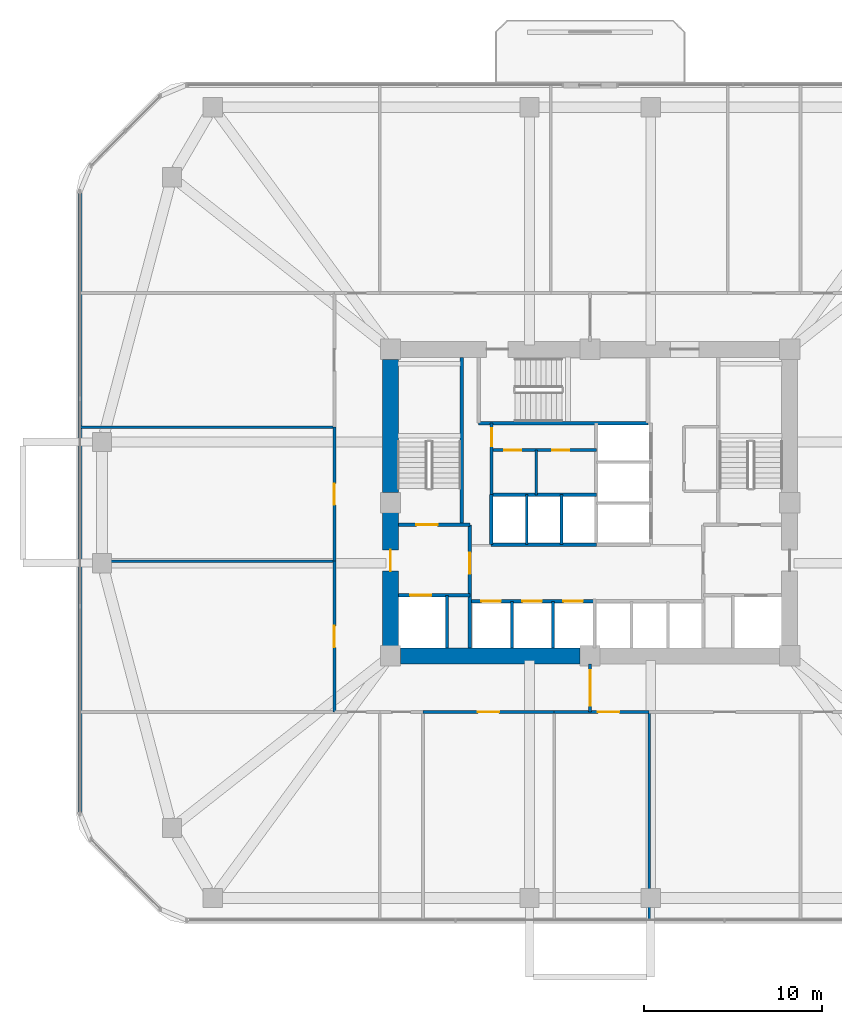
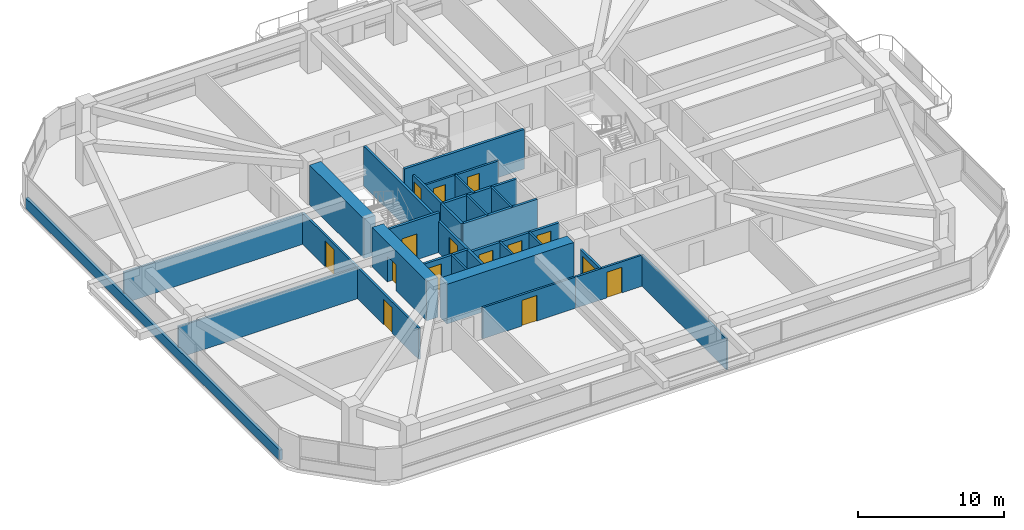
# One storey, part 9 of 14: 29 walls, 15 doors, 15 openings.
"""IFC4 building model written with IfcOpenShell, lengths in metres."""

from ifc_helpers import new_model, si_unit, derived_unit, direction, frame, frame_2d, origin, place, context, subcontext, project, spatial, rectangle, extrude, material, layer, layer_set, type_object, element, fill, save


model = new_model("IFC4")

# Units and contexts
model_context = context("Model", 3, precision=1e-05, world=origin(), true_north=direction((0.0, 1.0)))
body_context = subcontext(model_context, "Body", "Model", "MODEL_VIEW")
ifc_project = project(units=[si_unit("LENGTHUNIT", "METRE"), si_unit("AREAUNIT", "SQUARE_METRE"), si_unit("VOLUMEUNIT", "CUBIC_METRE"), si_unit("PLANEANGLEUNIT", "RADIAN"), si_unit("MASSUNIT", "GRAM", prefix="KILO"), derived_unit("THERMALTRANSMITTANCEUNIT", [(si_unit("POWERUNIT", "WATT"), 1), (si_unit("LENGTHUNIT", "METRE"), -2), (si_unit("THERMODYNAMICTEMPERATUREUNIT", "KELVIN"), -1)])], contexts=[model_context])

# Site, building, storey
site_placement = place(None, origin())
site = spatial("IfcSite", under=ifc_project, at=site_placement, CompositionType="ELEMENT")
building_placement = place(site_placement, origin())
building = spatial("IfcBuilding", under=site, at=building_placement, Name="Koralith Skygarden Medical Center", CompositionType="ELEMENT")
storey_placement = place(building_placement, frame((0.0, 0.0, 31.139892578125)))
storey = spatial("IfcBuildingStorey", under=building, at=storey_placement, Name="L07", CompositionType="ELEMENT", Elevation=31.139892578125)

# Walls
ifc_material_1 = material(Name="Gypsum Board Partition")
ifc_layer_1 = layer(ifc_material_1, 0.14990234375)
ifc_layer_set_1 = layer_set([ifc_layer_1], Name="Gypsum Board Partition")
wall_type_1 = type_object("IfcWallType", Name="Clinical Acoustic Partition 150", PredefinedType="PARTITIONING", material=ifc_layer_set_1)
wall_1_placement = place(storey_placement, frame((33.97998046875, 26.320068359375, 0.0), z_axis=(0.0, 0.0, 1.0), x_axis=(0.0, 1.0, 0.0)))
element("IfcWall", 1, at=wall_1_placement, inside=storey, type_object=wall_type_1, Name="L07 Clinical Acoustic Partition 150 W-CORE-L07-FLEX-V3A", PredefinedType="PARTITIONING", context=body_context, shape_type="SweptSolid", body=[
    extrude(rectangle(XDim=2.52001953125, YDim=0.14990234375, at=frame_2d((1.260009765625, 0.0))), origin(), (0.0, 0.0, 1.0), 2.610107421875),
])
wall_2_placement = place(storey_placement, frame((40.31005859375, 14.14990234375, 0.0), z_axis=(0.0, 0.0, 1.0), x_axis=(0.0, -1.0, 0.0)))
element("IfcWall", 2, at=wall_2_placement, inside=storey, type_object=wall_type_1, Name="L07 Clinical Acoustic Partition 150 W-PART-L07-S-04", PredefinedType="PARTITIONING", context=body_context, shape_type="SweptSolid", body=[
    extrude(rectangle(XDim=11.64990234375, YDim=0.14990234375, at=frame_2d((5.824951171875, 0.0))), origin(), (0.0, 0.0, 1.0), 2.610107421875),
])
for number, where, z_axis, x_axis, name in (
    (3, (22.64990234375, 22.610107421875, 0.0), (0.0, 0.0, 1.0), (-1.0, 0.0, 0.0), "L07 Clinical Acoustic Partition 150 W-PART-L07-W-01"),
    (4, (22.64990234375, 30.1298828125, 0.0), (0.0, 0.0, 1.0), (-1.0, 0.0, 0.0), "L07 Clinical Acoustic Partition 150 W-PART-L07-W-02"),
):
    element("IfcWall", number, at=place(storey_placement, frame(where, z_axis=z_axis, x_axis=x_axis)), inside=storey, type_object=wall_type_1, Name=name, PredefinedType="PARTITIONING", context=body_context, shape_type="SweptSolid", body=[
        extrude(rectangle(XDim=14.25, YDim=0.14990234375, at=frame_2d((7.125, 0.0))), origin(), (0.0, 0.0, 1.0), 2.610107421875),
    ])

# Wall, opening, door
ifc_layer_2 = layer(ifc_material_1, 0.1650390625)
ifc_layer_set_2 = layer_set([ifc_layer_2], Name="Gypsum Board Partition")
wall_type_2 = type_object("IfcWallType", Name="Clinical Corridor Partition 165", PredefinedType="PARTITIONING", material=ifc_layer_set_2)
wall_3_placement = place(storey_placement, frame((27.623046875, 14.14990234375, 0.0), z_axis=(0.0, 0.0, 1.0), x_axis=(1.0, 0.0, 0.0)))
wall_3 = element("IfcWall", 5, at=wall_3_placement, inside=storey, type_object=wall_type_2, Name="L07 Clinical Corridor Partition 165 W-CORR-L07-S-03", PredefinedType="PARTITIONING", context=body_context, shape_type="SweptSolid", body=[
    extrude(rectangle(XDim=7.35791015625, YDim=0.1650390625, at=frame_2d((3.678955078125, 0.0))), origin(), (0.0, 0.0, 1.0), 2.610107421875),
])
opening_1_placement = place(wall_3_placement, frame((3.0791015625, 0.0, 0.0)))
opening_1 = element("IfcOpeningElement", 6, at=opening_1_placement, cuts=wall_3, Name="Opening D-CLN", PredefinedType="OPENING", context=body_context, shape_type="SweptSolid", body=[
    extrude(rectangle(XDim=1.199951171875, YDim=2.14990234375, at=frame_2d((0.60009765625, 1.074951171875))), frame((0.0, 0.092529296875, 0.0), z_axis=(0.0, -1.0, 0.0), x_axis=(1.0, 0.0, 0.0)), (0.0, 0.0, 1.0), 0.18505859375),
])
ifc_material_2 = material(Name="Aluminium 6063-T6", Category="aluminium")
door_type_1 = type_object("IfcDoorType", Name="Clinical Corridor Door D-CLN 1200", OperationType="NOTDEFINED", PredefinedType="DOOR", material=ifc_material_2)
door_1_placement = place(opening_1_placement, frame((1.199951171875, 0.0, 0.0), z_axis=(0.0, 0.0, 1.0), x_axis=(-1.0, 0.0, 0.0)))
door_1 = element("IfcDoor", 7, at=door_1_placement, inside=storey, type_object=door_type_1, Name="L07 Attending Physician Consultation Office 08 Door", OperationType="SINGLE_SWING_LEFT", OverallHeight=2.14990234375, OverallWidth=1.199951171875, PredefinedType="DOOR", context=body_context, shape_type="SweptSolid", body=[
    extrude(rectangle(XDim=1.199951171875, YDim=2.14990234375, at=frame_2d((0.60009765625, 1.074951171875))), frame((0.0, 0.02490234375, 0.0), z_axis=(0.0, -1.0, 0.0), x_axis=(1.0, 0.0, 0.0)), (0.0, 0.0, 1.0), 0.050048828125),
])
fill(opening_1, door_1)

wall_4_placement = place(storey_placement, frame((34.98095703125, 14.14990234375, 0.0), z_axis=(0.0, 0.0, 1.0), x_axis=(1.0, 0.0, 0.0)))
wall_4 = element("IfcWall", 8, at=wall_4_placement, inside=storey, type_object=wall_type_2, Name="L07 Clinical Corridor Partition 165 W-CORR-L07-S-04", PredefinedType="PARTITIONING", context=body_context, shape_type="SweptSolid", body=[
    extrude(rectangle(XDim=5.3291015625, YDim=0.1650390625, at=frame_2d((2.66455078125, 0.0))), origin(), (0.0, 0.0, 1.0), 2.610107421875),
])
opening_2_placement = place(wall_4_placement, frame((2.4619140625, 0.0, 0.0)))
opening_2 = element("IfcOpeningElement", 9, at=opening_2_placement, cuts=wall_4, Name="Opening D-CLN", PredefinedType="OPENING", context=body_context, shape_type="SweptSolid", body=[
    extrude(rectangle(XDim=1.199951171875, YDim=2.14990234375, at=frame_2d((0.60009765625, 1.074951171875))), frame((0.0, 0.092529296875, 0.0), z_axis=(0.0, -1.0, 0.0), x_axis=(1.0, 0.0, 0.0)), (0.0, 0.0, 1.0), 0.18505859375),
])
door_2_placement = place(opening_2_placement, frame((1.199951171875, 0.0, 0.0), z_axis=(0.0, 0.0, 1.0), x_axis=(-1.0, 0.0, 0.0)))
door_2 = element("IfcDoor", 10, at=door_2_placement, inside=storey, type_object=door_type_1, Name="L07 Clinical Consultation Office 09 Door", OperationType="SINGLE_SWING_RIGHT", OverallHeight=2.14990234375, OverallWidth=1.199951171875, PredefinedType="DOOR", context=body_context, shape_type="SweptSolid", body=[
    extrude(rectangle(XDim=1.199951171875, YDim=2.14990234375, at=frame_2d((0.60009765625, 1.074951171875))), frame((0.0, 0.02490234375, 0.0), z_axis=(0.0, -1.0, 0.0), x_axis=(1.0, 0.0, 0.0)), (0.0, 0.0, 1.0), 0.050048828125),
])
fill(opening_2, door_2)

wall_5_placement = place(storey_placement, frame((22.64990234375, 14.14990234375, 0.0), z_axis=(0.0, 0.0, 1.0), x_axis=(0.0, 1.0, 0.0)))
wall_5 = element("IfcWall", 11, at=wall_5_placement, inside=storey, type_object=wall_type_2, Name="L07 Clinical Corridor Partition 165 W-CORR-L07-W-01", PredefinedType="PARTITIONING", context=body_context, shape_type="SweptSolid", body=[
    extrude(rectangle(XDim=8.460205078125, YDim=0.1650390625, at=frame_2d((4.22998046875, 0.0))), origin(), (0.0, 0.0, 1.0), 2.610107421875),
])
opening_3_placement = place(wall_5_placement, frame((3.6298828125, 0.0, 0.0)))
opening_3 = element("IfcOpeningElement", 12, at=opening_3_placement, cuts=wall_5, Name="Opening D-CLN", PredefinedType="OPENING", context=body_context, shape_type="SweptSolid", body=[
    extrude(rectangle(XDim=1.199951171875, YDim=2.14990234375, at=frame_2d((0.60009765625, 1.074951171875))), frame((0.0, 0.092529296875, 0.0), z_axis=(0.0, -1.0, 0.0), x_axis=(1.0, 0.0, 0.0)), (0.0, 0.0, 1.0), 0.18505859375),
])
door_3_placement = place(opening_3_placement, frame((1.199951171875, 0.0, 0.0), z_axis=(0.0, 0.0, 1.0), x_axis=(-1.0, 0.0, 0.0)))
door_3 = element("IfcDoor", 13, at=door_3_placement, inside=storey, type_object=door_type_1, Name="L07 Attending Physician Consultation Office 12 Door", OperationType="SINGLE_SWING_LEFT", OverallHeight=2.14990234375, OverallWidth=1.199951171875, PredefinedType="DOOR", context=body_context, shape_type="SweptSolid", body=[
    extrude(rectangle(XDim=1.199951171875, YDim=2.14990234375, at=frame_2d((0.60009765625, 1.074951171875))), frame((0.0, 0.02490234375, 0.0), z_axis=(0.0, -1.0, 0.0), x_axis=(1.0, 0.0, 0.0)), (0.0, 0.0, 1.0), 0.050048828125),
])
fill(opening_3, door_3)

wall_6_placement = place(storey_placement, frame((22.64990234375, 22.610107421875, 0.0), z_axis=(0.0, 0.0, 1.0), x_axis=(0.0, 1.0, 0.0)))
wall_6 = element("IfcWall", 14, at=wall_6_placement, inside=storey, type_object=wall_type_2, Name="L07 Clinical Corridor Partition 165 W-CORR-L07-W-02", PredefinedType="PARTITIONING", context=body_context, shape_type="SweptSolid", body=[
    extrude(rectangle(XDim=7.519775390625, YDim=0.1650390625, at=frame_2d((3.759765625, 0.0))), origin(), (0.0, 0.0, 1.0), 2.610107421875),
])
opening_4_placement = place(wall_6_placement, frame((3.159912109375, 0.0, 0.0)))
opening_4 = element("IfcOpeningElement", 15, at=opening_4_placement, cuts=wall_6, Name="Opening D-CLN", PredefinedType="OPENING", context=body_context, shape_type="SweptSolid", body=[
    extrude(rectangle(XDim=1.199951171875, YDim=2.14990234375, at=frame_2d((0.60009765625, 1.074951171875))), frame((0.0, 0.092529296875, 0.0), z_axis=(0.0, -1.0, 0.0), x_axis=(1.0, 0.0, 0.0)), (0.0, 0.0, 1.0), 0.18505859375),
])
door_4_placement = place(opening_4_placement, frame((1.199951171875, 0.0, 0.0), z_axis=(0.0, 0.0, 1.0), x_axis=(-1.0, 0.0, 0.0)))
door_4 = element("IfcDoor", 16, at=door_4_placement, inside=storey, type_object=door_type_1, Name="L07 Clinical Consultation Office 13 Door", OperationType="SINGLE_SWING_RIGHT", OverallHeight=2.14990234375, OverallWidth=1.199951171875, PredefinedType="DOOR", context=body_context, shape_type="SweptSolid", body=[
    extrude(rectangle(XDim=1.199951171875, YDim=2.14990234375, at=frame_2d((0.60009765625, 1.074951171875))), frame((0.0, 0.02490234375, 0.0), z_axis=(0.0, -1.0, 0.0), x_axis=(1.0, 0.0, 0.0)), (0.0, 0.0, 1.0), 0.050048828125),
])
fill(opening_4, door_4)

ifc_layer_3 = layer(ifc_material_1, 0.199951171875)
ifc_layer_set_3 = layer_set([ifc_layer_3], Name="Gypsum Board Partition")
wall_type_3 = type_object("IfcWallType", Name="Fire Shaft Wall 200", PredefinedType="SOLIDWALL", material=ifc_layer_set_3)
wall_7_placement = place(storey_placement, frame((26.25, 20.699951171875, 0.0), z_axis=(0.0, 0.0, 1.0), x_axis=(1.0, 0.0, 0.0)))
wall_7 = element("IfcWall", 17, at=wall_7_placement, inside=storey, type_object=wall_type_3, Name="L07 Fire Shaft Wall 200 W-CORE-L07-FF1-N", PredefinedType="SOLIDWALL", context=body_context, shape_type="SweptSolid", body=[
    extrude(rectangle(XDim=4.0, YDim=0.199951171875, at=frame_2d((2.0, 0.0))), origin(), (0.0, 0.0, 1.0), 2.610107421875),
])
opening_5_placement = place(wall_7_placement, frame((0.64990234375, 0.0, 0.0)))
opening_5 = element("IfcOpeningElement", 18, at=opening_5_placement, cuts=wall_7, Name="Opening LD-FF", PredefinedType="OPENING", context=body_context, shape_type="SweptSolid", body=[
    extrude(rectangle(XDim=1.199951171875, YDim=2.14990234375, at=frame_2d((0.60009765625, 1.074951171875))), frame((0.0, 0.10986328125, 0.0), z_axis=(0.0, -1.0, 0.0), x_axis=(1.0, 0.0, 0.0)), (0.0, 0.0, 1.0), 0.219970703125),
])
ifc_material_3 = material(Name="Steel ASTM A500 Grade C", Category="steel")
door_type_2 = type_object("IfcDoorType", Name="Fire Lift Sliding Landing Door LD-FF 1200", OperationType="NOTDEFINED", PredefinedType="DOOR", material=ifc_material_3)
door_5_placement = place(opening_5_placement, origin())
door_5 = element("IfcDoor", 19, at=door_5_placement, inside=storey, type_object=door_type_2, Name="L07 Fire Service Elevator FF1 Landing Door", OperationType="SLIDING_TO_LEFT", OverallHeight=2.14990234375, OverallWidth=1.199951171875, PredefinedType="DOOR", context=body_context, shape_type="SweptSolid", body=[
    extrude(rectangle(XDim=1.199951171875, YDim=2.14990234375, at=frame_2d((0.60009765625, 1.074951171875))), frame((0.0, 0.02490234375, 0.0), z_axis=(0.0, -1.0, 0.0), x_axis=(1.0, 0.0, 0.0)), (0.0, 0.0, 1.0), 0.050048828125),
])
fill(opening_5, door_5)

wall_8_placement = place(storey_placement, frame((30.25, 17.75, 0.0), z_axis=(0.0, 0.0, 1.0), x_axis=(0.0, 1.0, 0.0)))
wall_8 = element("IfcWall", 20, at=wall_8_placement, inside=storey, type_object=wall_type_3, Name="L07 Fire Shaft Wall 200 W-CORE-L07-FSAEW-E", PredefinedType="SOLIDWALL", context=body_context, shape_type="SweptSolid", body=[
    extrude(rectangle(XDim=6.89990234375, YDim=0.199951171875, at=frame_2d((3.449951171875, 0.0))), origin(), (0.0, 0.0, 1.0), 2.610107421875),
])
opening_6_placement = place(wall_8_placement, frame((4.14990234375, 0.0, 0.0)))
opening_6 = element("IfcOpeningElement", 21, at=opening_6_placement, cuts=wall_8, Name="Opening D-ST60", PredefinedType="OPENING", context=body_context, shape_type="SweptSolid", body=[
    extrude(rectangle(XDim=1.199951171875, YDim=2.14990234375, at=frame_2d((0.60009765625, 1.074951171875))), frame((0.0, 0.10986328125, 0.0), z_axis=(0.0, -1.0, 0.0), x_axis=(1.0, 0.0, 0.0)), (0.0, 0.0, 1.0), 0.219970703125),
])
door_type_3 = type_object("IfcDoorType", Name="Smokeproof Stair Fire Door FD60S 1200", OperationType="NOTDEFINED", PredefinedType="DOOR", material=ifc_material_3)
door_6_placement = place(opening_6_placement, origin())
door_6 = element("IfcDoor", 22, at=door_6_placement, inside=storey, type_object=door_type_3, Name="L07 West Firefighting Lobby Inner Fire Door", OperationType="SINGLE_SWING_LEFT", OverallHeight=2.14990234375, OverallWidth=1.199951171875, PredefinedType="DOOR", context=body_context, shape_type="SweptSolid", body=[
    extrude(rectangle(XDim=1.199951171875, YDim=2.14990234375, at=frame_2d((0.60009765625, 1.074951171875))), frame((0.0, 0.02490234375, 0.0), z_axis=(0.0, -1.0, 0.0), x_axis=(1.0, 0.0, 0.0)), (0.0, 0.0, 1.0), 0.050048828125),
])
fill(opening_6, door_6)

# Wall, openings, doors
wall_9_placement = place(storey_placement, frame((30.25, 20.360107421875, 0.0), z_axis=(0.0, 0.0, 1.0), x_axis=(1.0, 0.0, 0.0)))
wall_9 = element("IfcWall", 23, at=wall_9_placement, inside=storey, type_object=wall_type_3, Name="L07 Fire Shaft Wall 200 W-CORE-L07-PL-N", PredefinedType="SOLIDWALL", context=body_context, shape_type="SweptSolid", body=[
    extrude(rectangle(XDim=7.0, YDim=0.199951171875, at=frame_2d((3.5, 0.0))), origin(), (0.0, 0.0, 1.0), 2.610107421875),
])
opening_7_placement = place(wall_9_placement, frame((0.64990234375, 0.0, 0.0)))
opening_7 = element("IfcOpeningElement", 24, at=opening_7_placement, cuts=wall_9, Name="Opening LD-P", PredefinedType="OPENING", context=body_context, shape_type="SweptSolid", body=[
    extrude(rectangle(XDim=1.10009765625, YDim=2.14990234375, at=frame_2d((0.550048828125, 1.074951171875))), frame((0.0, 0.10986328125, 0.0), z_axis=(0.0, -1.0, 0.0), x_axis=(1.0, 0.0, 0.0)), (0.0, 0.0, 1.0), 0.219970703125),
])
opening_8_placement = place(wall_9_placement, frame((2.949951171875, 0.0, 0.0)))
opening_8 = element("IfcOpeningElement", 25, at=opening_8_placement, cuts=wall_9, Name="Opening LD-P", PredefinedType="OPENING", context=body_context, shape_type="SweptSolid", body=[
    extrude(rectangle(XDim=1.10009765625, YDim=2.14990234375, at=frame_2d((0.550048828125, 1.074951171875))), frame((0.0, 0.10986328125, 0.0), z_axis=(0.0, -1.0, 0.0), x_axis=(1.0, 0.0, 0.0)), (0.0, 0.0, 1.0), 0.219970703125),
])
opening_9_placement = place(wall_9_placement, frame((5.25, 0.0, 0.0)))
opening_9 = element("IfcOpeningElement", 26, at=opening_9_placement, cuts=wall_9, Name="Opening LD-P", PredefinedType="OPENING", context=body_context, shape_type="SweptSolid", body=[
    extrude(rectangle(XDim=1.10009765625, YDim=2.14990234375, at=frame_2d((0.550048828125, 1.074951171875))), frame((0.0, 0.10986328125, 0.0), z_axis=(0.0, -1.0, 0.0), x_axis=(1.0, 0.0, 0.0)), (0.0, 0.0, 1.0), 0.219970703125),
])
door_type_4 = type_object("IfcDoorType", Name="Passenger Lift Sliding Landing Door LD-P 1100", OperationType="NOTDEFINED", PredefinedType="DOOR", material=ifc_material_3)
door_7_placement = place(opening_7_placement, origin())
door_7 = element("IfcDoor", 27, at=door_7_placement, inside=storey, type_object=door_type_4, Name="L07 Passenger Elevator PL1 Landing Door", OperationType="SLIDING_TO_LEFT", OverallHeight=2.14990234375, OverallWidth=1.10009765625, PredefinedType="DOOR", context=body_context, shape_type="SweptSolid", body=[
    extrude(rectangle(XDim=1.10009765625, YDim=2.14990234375, at=frame_2d((0.550048828125, 1.074951171875))), frame((0.0, 0.02490234375, 0.0), z_axis=(0.0, -1.0, 0.0), x_axis=(1.0, 0.0, 0.0)), (0.0, 0.0, 1.0), 0.050048828125),
])
fill(opening_7, door_7)
door_8_placement = place(opening_8_placement, origin())
door_8 = element("IfcDoor", 28, at=door_8_placement, inside=storey, type_object=door_type_4, Name="L07 Passenger Elevator PL2 Landing Door", OperationType="SLIDING_TO_LEFT", OverallHeight=2.14990234375, OverallWidth=1.10009765625, PredefinedType="DOOR", context=body_context, shape_type="SweptSolid", body=[
    extrude(rectangle(XDim=1.10009765625, YDim=2.14990234375, at=frame_2d((0.550048828125, 1.074951171875))), frame((0.0, 0.02490234375, 0.0), z_axis=(0.0, -1.0, 0.0), x_axis=(1.0, 0.0, 0.0)), (0.0, 0.0, 1.0), 0.050048828125),
])
fill(opening_8, door_8)
door_9_placement = place(opening_9_placement, origin())
door_9 = element("IfcDoor", 29, at=door_9_placement, inside=storey, type_object=door_type_4, Name="L07 Passenger Elevator PL3 Landing Door", OperationType="SLIDING_TO_LEFT", OverallHeight=2.14990234375, OverallWidth=1.10009765625, PredefinedType="DOOR", context=body_context, shape_type="SweptSolid", body=[
    extrude(rectangle(XDim=1.10009765625, YDim=2.14990234375, at=frame_2d((0.550048828125, 1.074951171875))), frame((0.0, 0.02490234375, 0.0), z_axis=(0.0, -1.0, 0.0), x_axis=(1.0, 0.0, 0.0)), (0.0, 0.0, 1.0), 0.050048828125),
])
fill(opening_9, door_9)

# Walls
for number, where, z_axis, x_axis, name in (
    (30, (31.449951171875, 23.5400390625, 0.0), (0.0, 0.0, 1.0), (1.0, 0.0, 0.0), "L07 Fire Shaft Wall 200 W-CORE-L07-PH-S"),
    (31, (31.449951171875, 26.35009765625, 0.0), (0.0, 0.0, 1.0), (1.0, 0.0, 0.0), "L07 Fire Shaft Wall 200 W-CORE-L07-PH-N"),
):
    element("IfcWall", number, at=place(storey_placement, frame(where, z_axis=z_axis, x_axis=x_axis)), inside=storey, type_object=wall_type_3, Name=name, PredefinedType="SOLIDWALL", context=body_context, shape_type="SweptSolid", body=[
        extrude(rectangle(XDim=5.900146484375, YDim=0.199951171875, at=frame_2d((2.9501953125, 0.0))), origin(), (0.0, 0.0, 1.0), 2.610107421875),
    ])
wall_10_placement = place(storey_placement, frame((31.449951171875, 23.5400390625, 0.0), z_axis=(0.0, 0.0, 1.0), x_axis=(0.0, 1.0, 0.0)))
element("IfcWall", 32, at=wall_10_placement, inside=storey, type_object=wall_type_3, Name="L07 Fire Shaft Wall 200 W-CORE-L07-PH-W", PredefinedType="SOLIDWALL", context=body_context, shape_type="SweptSolid", body=[
    extrude(rectangle(XDim=2.81005859375, YDim=0.199951171875, at=frame_2d((1.405029296875, 0.0))), origin(), (0.0, 0.0, 1.0), 2.610107421875),
])

# Wall, opening, door
ifc_layer_4 = layer(ifc_material_1, 0.179931640625)
ifc_layer_set_4 = layer_set([ifc_layer_4], Name="Gypsum Board Partition")
wall_type_4 = type_object("IfcWallType", Name="Group I-2 Smoke Barrier Wall 180", PredefinedType="PARTITIONING", material=ifc_layer_set_4)
wall_11_placement = place(storey_placement, frame((37.0, 14.14990234375, 0.0), z_axis=(0.0, 0.0, 1.0), x_axis=(0.0, 1.0, 0.0)))
wall_11 = element("IfcWall", 33, at=wall_11_placement, inside=storey, type_object=wall_type_4, Name="L07 Group I-2 Smoke Barrier Wall 180 W-SMK-L07-S", PredefinedType="PARTITIONING", context=body_context, shape_type="SweptSolid", body=[
    extrude(rectangle(XDim=2.7001953125, YDim=0.179931640625, at=frame_2d((1.35009765625, 0.0))), origin(), (0.0, 0.0, 1.0), 2.610107421875),
])
opening_10_placement = place(wall_11_placement, frame((0.35009765625, 0.0, 0.0)))
opening_10 = element("IfcOpeningElement", 34, at=opening_10_placement, cuts=wall_11, Name="Opening D-SMK", PredefinedType="OPENING", context=body_context, shape_type="SweptSolid", body=[
    extrude(rectangle(XDim=2.0, YDim=2.199951171875, at=frame_2d((1.0, 1.10009765625))), frame((0.0, 0.099853515625, 0.0), z_axis=(0.0, -1.0, 0.0), x_axis=(1.0, 0.0, 0.0)), (0.0, 0.0, 1.0), 0.199951171875),
])
door_type_5 = type_object("IfcDoorType", Name="Cross-Corridor Double Smoke Door FD60S 2000", OperationType="NOTDEFINED", PredefinedType="DOOR", material=ifc_material_3)
door_10_placement = place(opening_10_placement, frame((2.0, 0.0, 0.0), z_axis=(0.0, 0.0, 1.0), x_axis=(-1.0, 0.0, 0.0)))
door_10 = element("IfcDoor", 35, at=door_10_placement, inside=storey, type_object=door_type_5, Name="L07 S Smoke Compartment Cross-Corridor Door", OperationType="DOUBLE_DOOR_SINGLE_SWING", OverallHeight=2.199951171875, OverallWidth=2.0, PredefinedType="DOOR", context=body_context, shape_type="SweptSolid", body=[
    extrude(rectangle(XDim=2.0, YDim=2.199951171875, at=frame_2d((1.0, 1.10009765625))), frame((0.0, 0.02490234375, 0.0), z_axis=(0.0, -1.0, 0.0), x_axis=(1.0, 0.0, 0.0)), (0.0, 0.0, 1.0), 0.050048828125),
])
fill(opening_10, door_10)

# Walls
ifc_material_4 = material(Name="Warm Oolitic Limestone Cladding", Category="masonry")
ifc_layer_5 = layer(ifc_material_4, 0.239990234375)
ifc_layer_set_5 = layer_set([ifc_layer_5], Name="Warm Oolitic Limestone Cladding")
wall_type_5 = type_object("IfcWallType", Name="Limestone Spandrel Sill Backup Wall 240", PredefinedType="SOLIDWALL", material=ifc_layer_set_5)
wall_12_placement = place(storey_placement, frame((8.3798828125, 43.344970703125, 0.0), z_axis=(0.0, 0.0, 1.0), x_axis=(0.0, -1.0, 0.0)))
element("IfcWall", 36, at=wall_12_placement, inside=storey, type_object=wall_type_5, Name="L07 Sill Spandrel W", PredefinedType="SOLIDWALL", context=body_context, shape_type="SweptSolid", body=[
    extrude(rectangle(XDim=34.889892578125, YDim=0.239990234375, at=frame_2d((17.44482421875, 0.0))), origin(), (0.0, 0.0, 1.0), 0.85009765625),
])
ifc_material_5 = material(Name="Concrete C70/85", Category="concrete")
ifc_layer_6 = layer(ifc_material_5, 0.89990234375)
ifc_layer_set_6 = layer_set([ifc_layer_6], Name="Concrete C70/85")
wall_type_6 = type_object("IfcWallType", Name="Lower Core Shear Wall 900", PredefinedType="SHEAR", material=ifc_layer_set_6)
wall_13_placement = place(storey_placement, frame((26.364990234375, 17.300048828125, 0.0), z_axis=(0.0, 0.0, 1.0), x_axis=(1.0, 0.0, 0.0)))
element("IfcWall", 37, at=wall_13_placement, inside=storey, type_object=wall_type_6, Name="L07 Core Shear Wall Segment 1", PredefinedType="SHEAR", context=body_context, shape_type="SweptSolid", body=[
    extrude(rectangle(XDim=10.070068359375, YDim=0.89990234375, at=frame_2d((5.03515625, 0.0))), origin(), (0.0, 0.0, 1.0), 3.320068359375),
])
wall_14_placement = place(storey_placement, frame((25.800048828125, 33.93505859375, 0.0), z_axis=(0.0, 0.0, 1.0), x_axis=(0.0, -1.0, 0.0)))
element("IfcWall", 38, at=wall_14_placement, inside=storey, type_object=wall_type_6, Name="L07 Core Shear Wall Segment 7", PredefinedType="SHEAR", context=body_context, shape_type="SweptSolid", body=[
    extrude(rectangle(XDim=7.469970703125, YDim=0.89990234375, at=frame_2d((3.73486328125, 0.0))), origin(), (0.0, 0.0, 1.0), 3.320068359375),
])

# Wall, opening, door
wall_15_placement = place(storey_placement, frame((25.800048828125, 25.3349609375, 0.0), z_axis=(0.0, 0.0, 1.0), x_axis=(0.0, -1.0, 0.0)))
wall_15 = element("IfcWall", 39, at=wall_15_placement, inside=storey, type_object=wall_type_6, Name="L07 Core Shear Wall Segment 8", PredefinedType="SHEAR", context=body_context, shape_type="SweptSolid", body=[
    extrude(rectangle(XDim=7.469970703125, YDim=0.89990234375, at=frame_2d((3.73486328125, 0.0))), origin(), (0.0, 0.0, 1.0), 3.320068359375),
])
opening_11_placement = place(wall_15_placement, frame((2.0849609375, 0.0, 0.0)))
opening_11 = element("IfcOpeningElement", 40, at=opening_11_placement, cuts=wall_15, Name="Opening D-ST60", PredefinedType="OPENING", context=body_context, shape_type="SweptSolid", body=[
    extrude(rectangle(XDim=1.199951171875, YDim=2.14990234375, at=frame_2d((0.60009765625, 1.074951171875))), frame((0.0, 0.4599609375, 0.0), z_axis=(0.0, -1.0, 0.0), x_axis=(1.0, 0.0, 0.0)), (0.0, 0.0, 1.0), 0.919921875),
])
door_11_placement = place(opening_11_placement, frame((1.199951171875, 0.0, 0.0), z_axis=(0.0, 0.0, 1.0), x_axis=(-1.0, 0.0, 0.0)))
door_11 = element("IfcDoor", 41, at=door_11_placement, inside=storey, type_object=door_type_3, Name="L07 West Corridor to Firefighting Lobby Door", OperationType="SINGLE_SWING_LEFT", OverallHeight=2.14990234375, OverallWidth=1.199951171875, PredefinedType="DOOR", context=body_context, shape_type="SweptSolid", body=[
    extrude(rectangle(XDim=1.199951171875, YDim=2.14990234375, at=frame_2d((0.60009765625, 1.074951171875))), frame((0.0, 0.02490234375, 0.0), z_axis=(0.0, -1.0, 0.0), x_axis=(1.0, 0.0, 0.0)), (0.0, 0.0, 1.0), 0.050048828125),
])
fill(opening_11, door_11)

ifc_layer_7 = layer(ifc_material_1, 0.1650390625)
ifc_layer_set_7 = layer_set([ifc_layer_7], Name="Gypsum Board Partition")
wall_type_7 = type_object("IfcWallType", Name="Plumbing Wet Wall 165", PredefinedType="PLUMBINGWALL", material=ifc_layer_set_7)
wall_16_placement = place(storey_placement, frame((31.47998046875, 26.320068359375, 0.0), z_axis=(0.0, 0.0, 1.0), x_axis=(0.0, 1.0, 0.0)))
wall_16 = element("IfcWall", 42, at=wall_16_placement, inside=storey, type_object=wall_type_7, Name="L07 Plumbing Wet Wall 165 W-CORE-L07-FLEX-W", PredefinedType="PLUMBINGWALL", context=body_context, shape_type="SweptSolid", body=[
    extrude(rectangle(XDim=4.0400390625, YDim=0.1650390625, at=frame_2d((2.02001953125, 0.0))), origin(), (0.0, 0.0, 1.0), 2.610107421875),
])
opening_12_placement = place(wall_16_placement, frame((2.75, 0.0, 0.0)))
opening_12 = element("IfcOpeningElement", 43, at=opening_12_placement, cuts=wall_16, Name="Opening D-SUP", PredefinedType="OPENING", context=body_context, shape_type="SweptSolid", body=[
    extrude(rectangle(XDim=1.0, YDim=2.14990234375, at=frame_2d((0.5, 1.074951171875))), frame((0.0, 0.092529296875, 0.0), z_axis=(0.0, -1.0, 0.0), x_axis=(1.0, 0.0, 0.0)), (0.0, 0.0, 1.0), 0.18505859375),
])
door_type_6 = type_object("IfcDoorType", Name="Clinical Support Door D-SUP 1000", OperationType="NOTDEFINED", PredefinedType="DOOR", material=ifc_material_2)
door_12_placement = place(opening_12_placement, frame((1.0, 0.0, 0.0), z_axis=(0.0, 0.0, 1.0), x_axis=(-1.0, 0.0, 0.0)))
door_12 = element("IfcDoor", 44, at=door_12_placement, inside=storey, type_object=door_type_6, Name="L07 Core Utility Alcove Door", OperationType="SINGLE_SWING_RIGHT", OverallHeight=2.14990234375, OverallWidth=1.0, PredefinedType="DOOR", context=body_context, shape_type="SweptSolid", body=[
    extrude(rectangle(XDim=1.0, YDim=2.14990234375, at=frame_2d((0.5, 1.074951171875))), frame((0.0, 0.02490234375, 0.0), z_axis=(0.0, -1.0, 0.0), x_axis=(1.0, 0.0, 0.0)), (0.0, 0.0, 1.0), 0.050048828125),
])
fill(opening_12, door_12)

# Wall, openings, doors
wall_17_placement = place(storey_placement, frame((31.47998046875, 28.840087890625, 0.0), z_axis=(0.0, 0.0, 1.0), x_axis=(1.0, 0.0, 0.0)))
wall_17 = element("IfcWall", 45, at=wall_17_placement, inside=storey, type_object=wall_type_7, Name="L07 Plumbing Wet Wall 165 W-CORE-L07-FLEX-H3", PredefinedType="PLUMBINGWALL", context=body_context, shape_type="SweptSolid", body=[
    extrude(rectangle(XDim=5.8701171875, YDim=0.1650390625, at=frame_2d((2.93505859375, 0.0))), origin(), (0.0, 0.0, 1.0), 2.610107421875),
])
opening_13_placement = place(wall_17_placement, frame((0.699951171875, 0.0, 0.0)))
opening_13 = element("IfcOpeningElement", 46, at=opening_13_placement, cuts=wall_17, Name="Opening D-WC", PredefinedType="OPENING", context=body_context, shape_type="SweptSolid", body=[
    extrude(rectangle(XDim=0.949951171875, YDim=2.10009765625, at=frame_2d((0.47509765625, 1.050048828125))), frame((0.0, 0.092529296875, 0.0), z_axis=(0.0, -1.0, 0.0), x_axis=(1.0, 0.0, 0.0)), (0.0, 0.0, 1.0), 0.18505859375),
])
opening_14_placement = place(wall_17_placement, frame((3.39990234375, 0.0, 0.0)))
opening_14 = element("IfcOpeningElement", 47, at=opening_14_placement, cuts=wall_17, Name="Opening D-WC", PredefinedType="OPENING", context=body_context, shape_type="SweptSolid", body=[
    extrude(rectangle(XDim=0.949951171875, YDim=2.10009765625, at=frame_2d((0.47509765625, 1.050048828125))), frame((0.0, 0.092529296875, 0.0), z_axis=(0.0, -1.0, 0.0), x_axis=(1.0, 0.0, 0.0)), (0.0, 0.0, 1.0), 0.18505859375),
])
door_type_7 = type_object("IfcDoorType", Name="Accessible Toilet Door D-WC 950", OperationType="NOTDEFINED", PredefinedType="DOOR", material=ifc_material_2)
door_13_placement = place(opening_13_placement, frame((0.949951171875, 0.0, 0.0), z_axis=(0.0, 0.0, 1.0), x_axis=(-1.0, 0.0, 0.0)))
door_13 = element("IfcDoor", 48, at=door_13_placement, inside=storey, type_object=door_type_7, Name="L07 Core Accessible WC Door", OperationType="SINGLE_SWING_LEFT", OverallHeight=2.10009765625, OverallWidth=0.949951171875, PredefinedType="DOOR", context=body_context, shape_type="SweptSolid", body=[
    extrude(rectangle(XDim=0.949951171875, YDim=2.10009765625, at=frame_2d((0.47509765625, 1.050048828125))), frame((0.0, 0.02490234375, 0.0), z_axis=(0.0, -1.0, 0.0), x_axis=(1.0, 0.0, 0.0)), (0.0, 0.0, 1.0), 0.050048828125),
])
fill(opening_13, door_13)
door_14_placement = place(opening_14_placement, frame((0.949951171875, 0.0, 0.0), z_axis=(0.0, 0.0, 1.0), x_axis=(-1.0, 0.0, 0.0)))
door_14 = element("IfcDoor", 49, at=door_14_placement, inside=storey, type_object=door_type_7, Name="L07 Housekeeping Store Door", OperationType="SINGLE_SWING_RIGHT", OverallHeight=2.10009765625, OverallWidth=0.949951171875, PredefinedType="DOOR", context=body_context, shape_type="SweptSolid", body=[
    extrude(rectangle(XDim=0.949951171875, YDim=2.10009765625, at=frame_2d((0.47509765625, 1.050048828125))), frame((0.0, 0.02490234375, 0.0), z_axis=(0.0, -1.0, 0.0), x_axis=(1.0, 0.0, 0.0)), (0.0, 0.0, 1.0), 0.050048828125),
])
fill(opening_14, door_14)

# Walls
ifc_layer_8 = layer(ifc_material_1, 0.14990234375)
ifc_layer_set_8 = layer_set([ifc_layer_8], Name="Gypsum Board Partition")
wall_type_8 = type_object("IfcWallType", Name="Shaft Partition Wall 150", PredefinedType="PARTITIONING", material=ifc_layer_set_8)
wall_18_placement = place(storey_placement, frame((28.969970703125, 17.75, 0.0), z_axis=(0.0, 0.0, 1.0), x_axis=(0.0, 1.0, 0.0)))
element("IfcWall", 50, at=wall_18_placement, inside=storey, type_object=wall_type_8, Name="L07 Shaft Partition Wall 150 W-CORE-L07-RSRW-DIV", PredefinedType="PARTITIONING", context=body_context, shape_type="SweptSolid", body=[
    extrude(rectangle(XDim=2.949951171875, YDim=0.14990234375, at=frame_2d((1.47509765625, 0.0))), origin(), (0.0, 0.0, 1.0), 2.610107421875),
])
for number, where, z_axis, x_axis, name in (
    (51, (32.6201171875, 17.75, 0.0), (0.0, 0.0, 1.0), (0.0, 1.0, 0.0), "L07 Shaft Partition Wall 150 W-CORE-L07-PL-D1"),
    (52, (34.919921875, 17.75, 0.0), (0.0, 0.0, 1.0), (0.0, 1.0, 0.0), "L07 Shaft Partition Wall 150 W-CORE-L07-PL-D2"),
):
    element("IfcWall", number, at=place(storey_placement, frame(where, z_axis=z_axis, x_axis=x_axis)), inside=storey, type_object=wall_type_8, Name=name, PredefinedType="PARTITIONING", context=body_context, shape_type="SweptSolid", body=[
        extrude(rectangle(XDim=2.610107421875, YDim=0.14990234375, at=frame_2d((1.30517578125, 0.0))), origin(), (0.0, 0.0, 1.0), 2.610107421875),
    ])
for number, where, z_axis, x_axis, name in (
    (53, (33.449951171875, 23.5400390625, 0.0), (0.0, 0.0, 1.0), (0.0, 1.0, 0.0), "L07 Shaft Partition Wall 150 W-CORE-L07-PH-D1"),
    (54, (35.39990234375, 23.5400390625, 0.0), (0.0, 0.0, 1.0), (0.0, 1.0, 0.0), "L07 Shaft Partition Wall 150 W-CORE-L07-PH-D2"),
):
    element("IfcWall", number, at=place(storey_placement, frame(where, z_axis=z_axis, x_axis=x_axis)), inside=storey, type_object=wall_type_8, Name=name, PredefinedType="PARTITIONING", context=body_context, shape_type="SweptSolid", body=[
        extrude(rectangle(XDim=2.81005859375, YDim=0.14990234375, at=frame_2d((1.405029296875, 0.0))), origin(), (0.0, 0.0, 1.0), 2.610107421875),
    ])
ifc_material_6 = material(Name="Concrete C45/55", Category="concrete")
ifc_layer_9 = layer(ifc_material_6, 0.199951171875)
ifc_layer_set_9 = layer_set([ifc_layer_9], Name="Concrete C45/55")
wall_type_9 = type_object("IfcWallType", Name="Structural Stair Shaft Wall 200", PredefinedType="SHEAR", material=ifc_layer_set_9)
wall_19_placement = place(storey_placement, frame((29.800048828125, 24.64990234375, 0.0), z_axis=(0.0, 0.0, 1.0), x_axis=(0.0, 1.0, 0.0)))
element("IfcWall", 55, at=wall_19_placement, inside=storey, type_object=wall_type_9, Name="L07 Structural Stair Shaft Wall 200 W-CORE-L07-ST1-E", PredefinedType="SHEAR", context=body_context, shape_type="SweptSolid", body=[
    extrude(rectangle(XDim=9.400146484375, YDim=0.199951171875, at=frame_2d((4.7001953125, 0.0))), origin(), (0.0, 0.0, 1.0), 3.320068359375),
])

# Wall, opening, door
wall_20_placement = place(storey_placement, frame((26.25, 24.64990234375, 0.0), z_axis=(0.0, 0.0, 1.0), x_axis=(1.0, 0.0, 0.0)))
wall_20 = element("IfcWall", 56, at=wall_20_placement, inside=storey, type_object=wall_type_9, Name="L07 Structural Stair Shaft Wall 200 W-CORE-L07-ST1-S", PredefinedType="SHEAR", context=body_context, shape_type="SweptSolid", body=[
    extrude(rectangle(XDim=4.0, YDim=0.199951171875, at=frame_2d((2.0, 0.0))), origin(), (0.0, 0.0, 1.0), 3.320068359375),
])
opening_15_placement = place(wall_20_placement, frame((1.0, 0.0, 0.0)))
opening_15 = element("IfcOpeningElement", 57, at=opening_15_placement, cuts=wall_20, Name="Opening D-ST60", PredefinedType="OPENING", context=body_context, shape_type="SweptSolid", body=[
    extrude(rectangle(XDim=1.199951171875, YDim=2.14990234375, at=frame_2d((0.60009765625, 1.074951171875))), frame((0.0, 0.10986328125, 0.0), z_axis=(0.0, -1.0, 0.0), x_axis=(1.0, 0.0, 0.0)), (0.0, 0.0, 1.0), 0.219970703125),
])
door_15_placement = place(opening_15_placement, origin())
door_15 = element("IfcDoor", 58, at=door_15_placement, inside=storey, type_object=door_type_3, Name="L07 Exit Stair ST1 Fire Door", OperationType="SINGLE_SWING_LEFT", OverallHeight=2.14990234375, OverallWidth=1.199951171875, PredefinedType="DOOR", context=body_context, shape_type="SweptSolid", body=[
    extrude(rectangle(XDim=1.199951171875, YDim=2.14990234375, at=frame_2d((0.60009765625, 1.074951171875))), frame((0.0, 0.02490234375, 0.0), z_axis=(0.0, -1.0, 0.0), x_axis=(1.0, 0.0, 0.0)), (0.0, 0.0, 1.0), 0.050048828125),
])
fill(opening_15, door_15)

# Wall
wall_21_placement = place(storey_placement, frame((30.75, 30.360107421875, 0.0), z_axis=(0.0, 0.0, 1.0), x_axis=(1.0, 0.0, 0.0)))
element("IfcWall", 59, at=wall_21_placement, inside=storey, type_object=wall_type_9, Name="L07 Structural Stair Shaft Wall 200 W-CORE-L07-ST3-S", PredefinedType="SHEAR", context=body_context, shape_type="SweptSolid", body=[
    extrude(rectangle(XDim=9.5, YDim=0.199951171875, at=frame_2d((4.75, 0.0))), origin(), (0.0, 0.0, 1.0), 3.320068359375),
])

save(model, "model.ifc")
